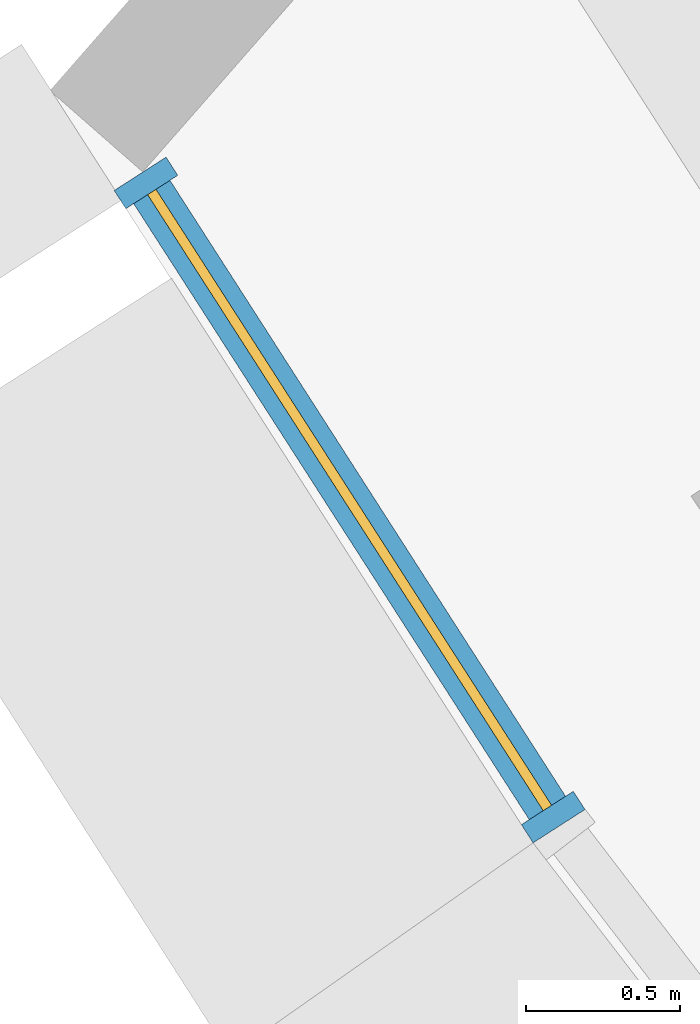
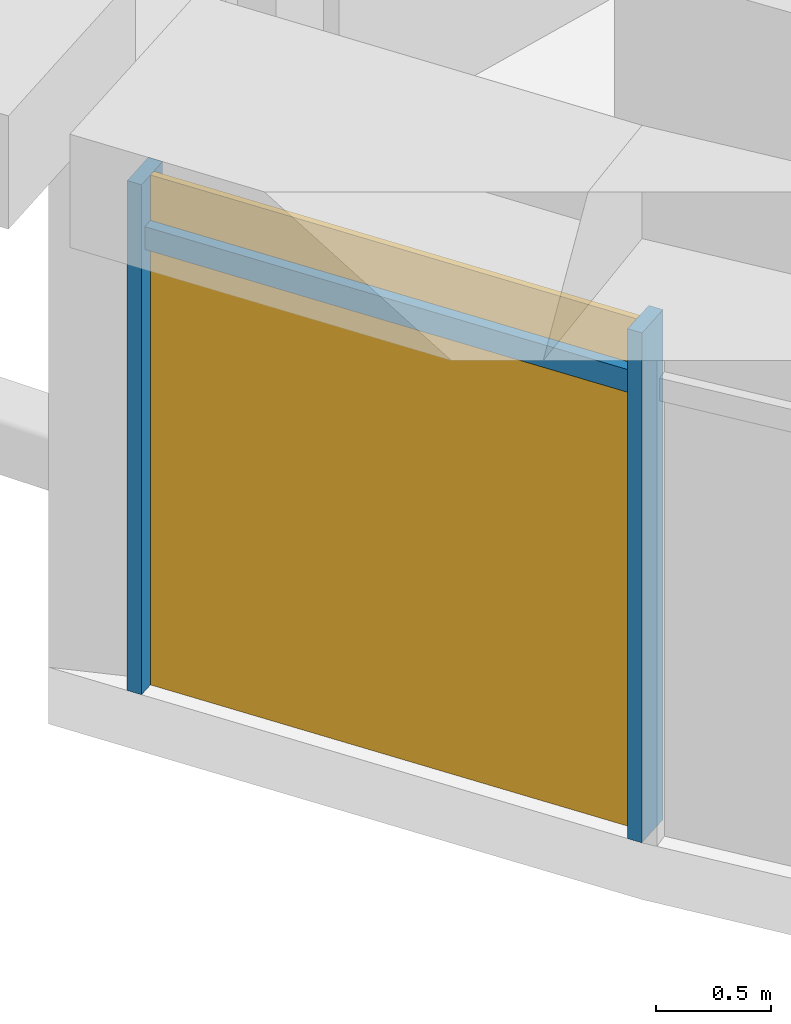
# One storey, part 22 of 30: 3 members, 1 curtain wall.
"""IFC4 building model written with IfcOpenShell, lengths in metres."""

from ifc_helpers import new_model, si_unit, direction, frame, origin, origin_2d, place, context, subcontext, project, spatial, rectangle, extrude, material, material_profile, profile_set, type_object, element, aggregate, save


model = new_model("IFC4")

# Units and contexts
model_context = context("Model", 3, precision=1e-05, world=origin(), true_north=direction((0.0, 1.0)))
body_context = subcontext(model_context, "Body", "Model", "MODEL_VIEW")
ifc_project = project(units=[si_unit("LENGTHUNIT", "METRE"), si_unit("AREAUNIT", "SQUARE_METRE"), si_unit("VOLUMEUNIT", "CUBIC_METRE"), si_unit("PLANEANGLEUNIT", "RADIAN"), si_unit("MASSUNIT", "GRAM", prefix="KILO")], contexts=[model_context])

# Member
ifc_material = material(Name="Aluminium 6063-T6 anodised", Category="aluminium")
ifc_material_profile_1 = material_profile(ifc_material, rectangle(XDim=0.199951171875, YDim=0.070068359375, at=origin_2d()))
ifc_profile_set_1 = profile_set([ifc_material_profile_1], Name="Aluminium 6063-T6 anodised")
member_type_1 = type_object("IfcMemberType", Name="Mullion 70 x 200 aluminium", PredefinedType="MULLION", material=ifc_profile_set_1)
site_placement = place(None, origin())
building_placement = place(site_placement, origin())
storey_placement = place(building_placement, frame((0.0, 0.0, 67.10009765625)))
member_1_placement = place(storey_placement, frame((-67.4814453125, -42.112060546875, 0.0), z_axis=(0.0, 0.0, 1.0), x_axis=(0.841438709964, 0.540352567658, 0.0)))
member_1 = element("IfcMember", 1, at=member_1_placement, type_object=member_type_1, Name="e-cw1-L13-out00/M00", PredefinedType="MULLION", context=body_context, shape_type="SweptSolid", body=[
    extrude(rectangle(XDim=0.199951171875, YDim=0.070068359375, at=origin_2d()), origin(), (0.0, 0.0, 1.0), 2.699951171875),
])

member_2_placement = place(storey_placement, frame((-66.161376953125, -44.167724609375, 0.0), z_axis=(0.0, 0.0, 1.0), x_axis=(0.841438709964, 0.540352567658, 0.0)))
member_2 = element("IfcMember", 2, at=member_2_placement, type_object=member_type_1, Name="e-cw1-L13-out00/M01", PredefinedType="MULLION", context=body_context, shape_type="SweptSolid", body=[
    extrude(rectangle(XDim=0.199951171875, YDim=0.070068359375, at=origin_2d()), origin(), (0.0, 0.0, 1.0), 2.699951171875),
])

ifc_material_profile_2 = material_profile(ifc_material, rectangle(XDim=0.139892578125, YDim=0.1201171875, at=origin_2d()))
ifc_profile_set_2 = profile_set([ifc_material_profile_2], Name="Aluminium 6063-T6 anodised")
member_type_2 = type_object("IfcMemberType", Name="Transom 120 x 140 aluminium", PredefinedType="USERDEFINED", material=ifc_profile_set_2)
member_3_placement = place(storey_placement, frame((-67.46240234375, -42.1416015625, 2.39990234375), z_axis=(0.540372722658, -0.841425766546, 0.0), x_axis=(0.841425766546, 0.540372722658, 0.0)))
member_3 = element("IfcMember", 3, at=member_3_placement, type_object=member_type_2, Name="e-cw1-L13-out00/T00", ObjectType="TRANSOM", PredefinedType="USERDEFINED", context=body_context, shape_type="SweptSolid", body=[
    extrude(rectangle(XDim=0.139892578125, YDim=0.1201171875, at=origin_2d()), origin(), (0.0, 0.0, 1.0), 2.372802734375),
])

# Site, building, storey
site = spatial("IfcSite", under=ifc_project, at=site_placement, CompositionType="ELEMENT")
building = spatial("IfcBuilding", under=site, at=building_placement, Name="Qamariyya Broadcast Tower", CompositionType="ELEMENT")
storey = spatial("IfcBuildingStorey", under=building, at=storey_placement, Name="L13", CompositionType="ELEMENT", Elevation=67.10009765625)

# Curtain wall
curtain_wall_type = type_object("IfcCurtainWallType", Name="Unitised curtain wall, anodised aluminium", PredefinedType="NOTDEFINED", material=ifc_material)
curtain_wall_placement = place(storey_placement, origin())
curtain_wall = element("IfcCurtainWall", 4, at=curtain_wall_placement, inside=storey, type_object=curtain_wall_type, Name="e-cw1-L13-out00", PredefinedType="NOTDEFINED", context=body_context, shape_type="SweptSolid", body=[
    extrude(rectangle(XDim=2.372802734375, YDim=0.031982421875, at=origin_2d()), frame((-66.8212890625, -43.139892578125, 0.0), x_axis=(0.540403979319, -0.84140569236, 0.0)), (0.0, 0.0, 1.0), 2.340087890625),
    extrude(rectangle(XDim=2.372802734375, YDim=0.031982421875, at=origin_2d()), frame((-66.8212890625, -43.139892578125, 2.4599609375), x_axis=(0.540403979319, -0.84140569236, 0.0)), (0.0, 0.0, 1.0), 0.239990234375),
])

aggregate(curtain_wall, [member_1, member_2, member_3])

save(model, "model.ifc")
